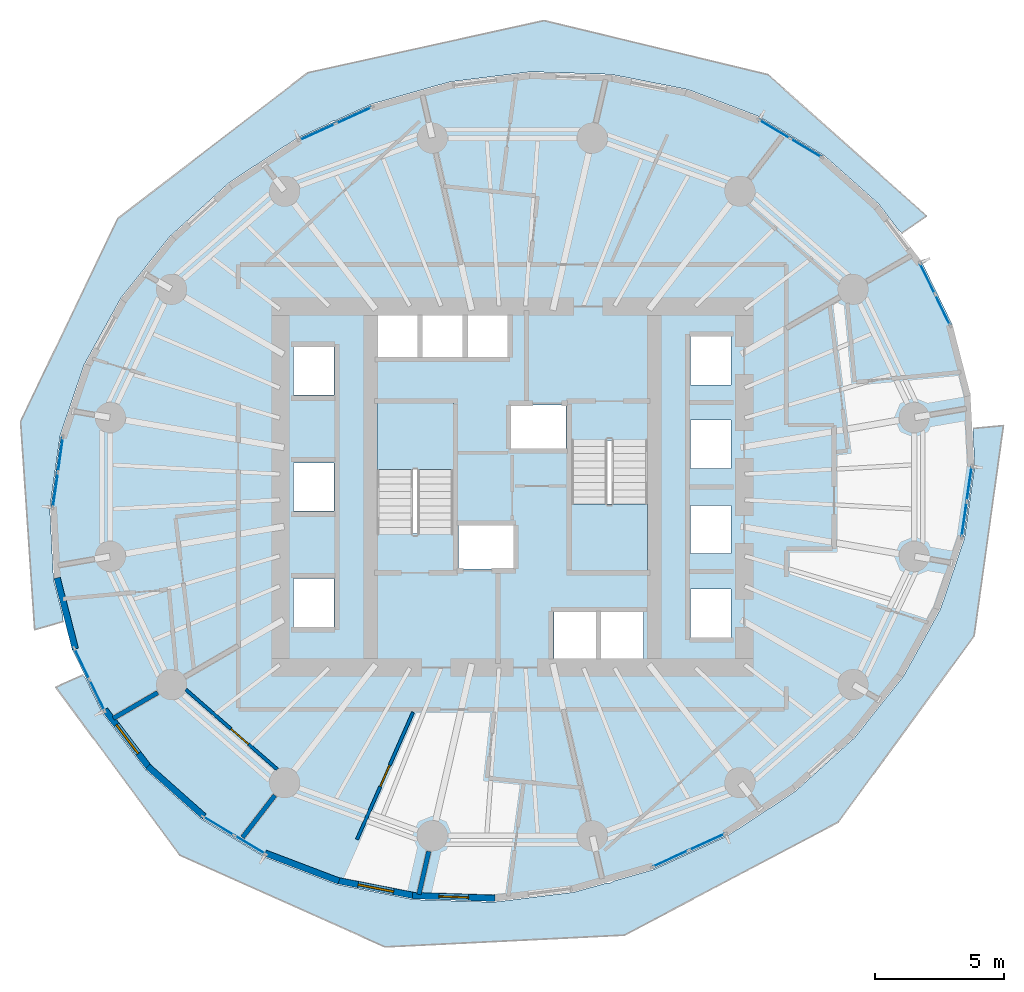
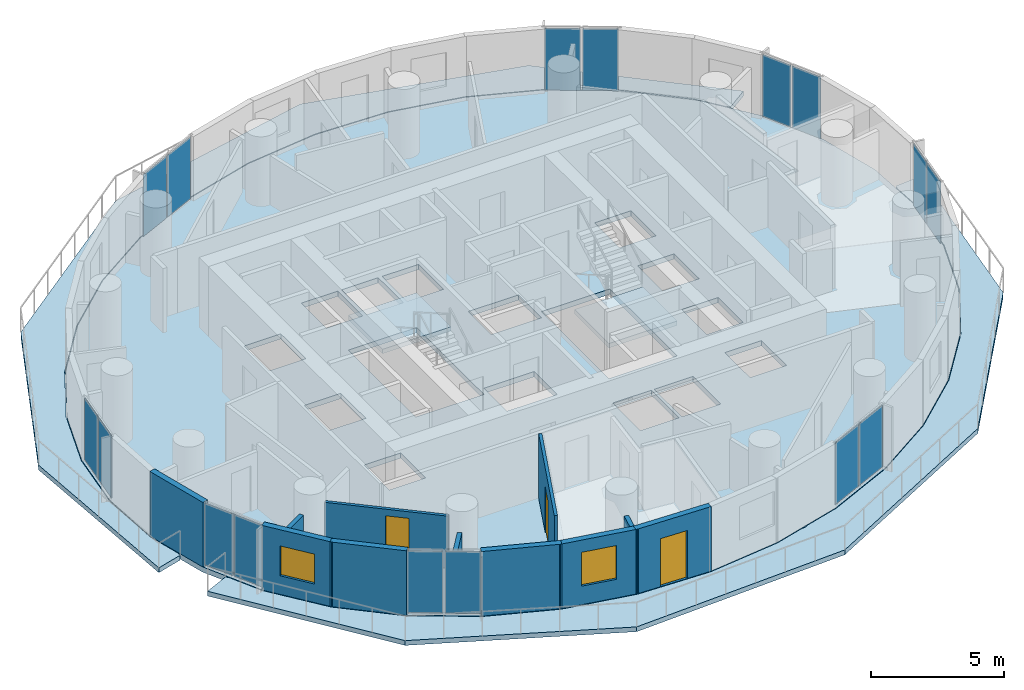
# One storey, part 6 of 14: 16 plates, 11 walls, 5 slabs, 3 doors, 2 windows, 5 openings, 10 elements without a shape of their own.
"""IFC4 building model written with IfcOpenShell, lengths in metres."""

from ifc_helpers import new_model, si_unit, direction, frame, frame_2d, origin, origin_2d, place, context, subcontext, project, spatial, polyline, rectangle, outline, extrude, material, layer, layer_set, type_object, element, fill, aggregate, save


model = new_model("IFC4")

# Units and contexts
model_context = context("Model", 3, precision=1e-05, world=origin(), true_north=direction((0.0, 1.0)))
body_context = subcontext(model_context, "Body", "Model", "MODEL_VIEW")
ifc_project = project(units=[si_unit("LENGTHUNIT", "METRE"), si_unit("AREAUNIT", "SQUARE_METRE"), si_unit("VOLUMEUNIT", "CUBIC_METRE"), si_unit("PLANEANGLEUNIT", "RADIAN"), si_unit("MASSUNIT", "GRAM", prefix="KILO")], contexts=[model_context])

# Site, building, storey
site_placement = place(None, origin())
site = spatial("IfcSite", under=ifc_project, at=site_placement, CompositionType="ELEMENT")
building_placement = place(site_placement, origin())
building = spatial("IfcBuilding", under=site, at=building_placement, Name="Veldorim Arch Residences", CompositionType="ELEMENT")
storey_placement = place(building_placement, frame((0.0, 0.0, 90.080078125)))
storey = spatial("IfcBuildingStorey", under=building, at=storey_placement, Name="L26", CompositionType="ELEMENT", Elevation=90.080078125)

# Slabs
ifc_material_1 = material(Name="Concrete C40/50", Category="concrete")
ifc_layer_1 = layer(ifc_material_1, 0.219970703125, Name="Planted Crescent Cantilever Balcony Slab 220")
ifc_layer_set_1 = layer_set([ifc_layer_1], Name="Concrete C40/50")
slab_type_1 = type_object("IfcSlabType", Name="Planted Crescent Cantilever Balcony Slab 220", PredefinedType="FLOOR", material=ifc_layer_set_1)
slab_1_placement = place(storey_placement, frame((0.0, 0.0, -0.219970703125)))
element("IfcSlab", 1, at=slab_1_placement, inside=storey, type_object=slab_type_1, Name="L26 planted crescent balcony slab A", PredefinedType="FLOOR", context=body_context, shape_type="SweptSolid", body=[
    extrude(outline(polyline([(46.990478515625, 33.961181640625), (46.210693359375, 34.984130859375), (44.088134765625, 36.868408203125), (41.5986328125, 38.361328125), (38.8173828125, 39.41796875), (35.82958984375, 40.006103515625), (32.725341796875, 40.10791015625), (29.59912109375, 39.720458984375), (26.5458984375, 38.85546875), (25.1455078125, 38.21728515625), (24.97314453125, 38.177001953125), (24.84033203125, 38.078125), (23.658447265625, 37.53955078125), (21.0244140625, 35.81201171875), (18.723388671875, 33.725830078125), (16.82568359375, 31.343994140625), (15.388916015625, 28.739013671875), (14.456787109375, 25.98974609375), (14.057861328125, 23.1796875), (14.2041015625, 20.39453125), (14.574462890625, 18.952880859375), (14.5751953125, 18.783203125), (13.470458984375, 18.463623046875), (12.923583984375, 26.53662109375), (16.694580078125, 34.413818359375), (24.0673828125, 40.071533203125), (33.231201171875, 42.094970703125), (41.920166015625, 39.998779296875), (48.068359375, 34.513916015625), (47.1259765625, 33.854736328125), (46.990478515625, 33.961181640625)])), origin(), (0.0, 0.0, 1.0), 0.219970703125),
])
slab_2_placement = place(storey_placement, frame((0.0, 0.0, -0.219970703125)))
element("IfcSlab", 2, at=slab_2_placement, inside=storey, type_object=slab_type_1, Name="L26 planted crescent balcony slab B", PredefinedType="FLOOR", context=body_context, shape_type="SweptSolid", body=[
    extrude(outline(polyline([(15.4482421875, 16.57275390625), (16.098876953125, 15.23388671875), (17.789306640625, 13.015869140625), (19.911865234375, 11.131591796875), (22.4013671875, 9.638671875), (25.1826171875, 8.58203125), (28.17041015625, 7.993896484375), (31.274658203125, 7.89208984375), (34.40087890625, 8.279541015625), (35.65087890625, 8.633544921875), (35.815673828125, 8.644287109375), (35.972900390625, 8.724853515625), (37.4541015625, 9.14453125), (40.341552734375, 10.46044921875), (42.9755859375, 12.18798828125), (45.276611328125, 14.274169921875), (47.17431640625, 16.656005859375), (48.611083984375, 19.260986328125), (49.543212890625, 22.01025390625), (49.942138671875, 24.8203125), (49.87451171875, 26.10498046875), (49.9091796875, 26.273681640625), (51.05419921875, 26.380859375), (49.91552734375, 18.220703125), (44.647216796875, 11.000244140625), (36.350830078125, 6.613525390625), (27.06884765625, 6.15673828125), (19.0966796875, 9.722412109375), (14.2900390625, 16.2314453125), (15.339111328125, 16.70263671875), (15.4482421875, 16.57275390625)])), origin(), (0.0, 0.0, 1.0), 0.219970703125),
])

# Stair, slab
ifc_material_2 = material(Name="Concrete C40/50", Category="concrete")
stair_type = type_object("IfcStairType", Name="Reinforced Concrete Dogleg Exit Staircase", PredefinedType="HALF_TURN_STAIR", material=ifc_material_2)
stair_1_placement = place(storey_placement, origin())
stair_1 = element("IfcStair", 3, at=stair_1_placement, inside=storey, type_object=stair_type, Name="L26 Exit Staircase ST-1", PredefinedType="HALF_TURN_STAIR")
ifc_material_3 = material(Name="Concrete C40/50", Category="concrete")
ifc_layer_2 = layer(ifc_material_3, 0.199951171875, Name="Reinforced Concrete Stair Landing 200")
ifc_layer_set_2 = layer_set([ifc_layer_2], Name="Concrete C40/50")
slab_type_2 = type_object("IfcSlabType", Name="Reinforced Concrete Stair Landing 200", PredefinedType="LANDING", material=ifc_layer_set_2)
slab_3_placement = place(storey_placement, frame((0.0, 0.0, 1.39990234375)))
slab_3 = element("IfcSlab", 4, at=slab_3_placement, type_object=slab_type_2, Name="ST-1 landing 1", PredefinedType="LANDING", context=body_context, shape_type="SweptSolid", body=[
    extrude(outline(polyline([(29.7099609375, 24.669921875), (29.7099609375, 27.25), (26.75, 27.25), (26.75, 24.669921875), (29.7099609375, 24.669921875)])), origin(), (0.0, 0.0, 1.0), 0.199951171875),
])
aggregate(stair_1, [slab_3])

stair_2_placement = place(storey_placement, origin())
stair_2 = element("IfcStair", 5, at=stair_2_placement, inside=storey, type_object=stair_type, Name="L26 Exit Staircase ST-2", PredefinedType="HALF_TURN_STAIR")
slab_4_placement = place(storey_placement, frame((0.0, 0.0, 1.39990234375)))
slab_4 = element("IfcSlab", 6, at=slab_4_placement, type_object=slab_type_2, Name="ST-2 landing 1", PredefinedType="LANDING", context=body_context, shape_type="SweptSolid", body=[
    extrude(outline(polyline([(34.2900390625, 23.330078125), (34.2900390625, 20.75), (37.25, 20.75), (37.25, 23.330078125), (34.2900390625, 23.330078125)])), origin(), (0.0, 0.0, 1.0), 0.199951171875),
])
aggregate(stair_2, [slab_4])

# Slab
ifc_material_4 = material(Name="Concrete C40/50", Category="concrete")
ifc_layer_3 = layer(ifc_material_4, 0.239990234375, Name="Typical Residential Floor Slab 240")
ifc_layer_set_3 = layer_set([ifc_layer_3], Name="Concrete C40/50")
slab_type_3 = type_object("IfcSlabType", Name="Typical Residential Floor Slab 240", PredefinedType="FLOOR", material=ifc_layer_set_3)
slab_5_placement = place(storey_placement, frame((0.0, 0.0, -0.239990234375)))
element("IfcSlab", 7, at=slab_5_placement, inside=storey, type_object=slab_type_3, Name="L26 tower structural floor slab", PredefinedType="FLOOR", context=body_context, shape_type="SweptSolid", body=[
    extrude(outline(polyline([(49.0849609375, 30.2724609375), (47.8798828125, 32.752685546875), (46.192138671875, 34.967041015625), (44.0732421875, 36.84814453125), (41.587646484375, 38.3388671875), (38.810546875, 39.393798828125), (35.82666015625, 39.981201171875), (32.726318359375, 40.082763671875), (29.60400390625, 39.69580078125), (26.5546875, 38.83203125), (23.670654296875, 37.517578125), (21.03955078125, 35.792236328125), (18.74169921875, 33.70849609375), (16.8466796875, 31.330078125), (15.412109375, 28.728759765625), (14.481201171875, 25.98388671875), (14.0830078125, 23.1787109375), (14.22900390625, 20.398193359375), (14.9150390625, 17.7275390625), (16.1201171875, 15.247314453125), (17.807861328125, 13.032958984375), (19.9267578125, 11.15185546875), (22.412353515625, 9.6611328125), (25.189453125, 8.606201171875), (28.17333984375, 8.018798828125), (31.273681640625, 7.917236328125), (34.39599609375, 8.30419921875), (37.4453125, 9.16796875), (40.329345703125, 10.482421875), (42.96044921875, 12.207763671875), (45.25830078125, 14.29150390625), (47.1533203125, 16.669921875), (48.587890625, 19.271240234375), (49.518798828125, 22.01611328125), (49.9169921875, 24.8212890625), (49.77099609375, 27.601806640625), (49.0849609375, 30.2724609375)]), holes=[polyline([(23.510009765625, 20.43994140625), (25.090087890625, 20.43994140625), (25.090087890625, 18.56005859375), (23.510009765625, 18.56005859375), (23.510009765625, 20.43994140625)]), polyline([(29.909912109375, 22.544921875), (32.090087890625, 22.544921875), (32.090087890625, 20.81494140625), (29.909912109375, 20.81494140625), (29.909912109375, 22.544921875)]), polyline([(23.510009765625, 24.93994140625), (25.090087890625, 24.93994140625), (25.090087890625, 23.06005859375), (23.510009765625, 23.06005859375), (23.510009765625, 24.93994140625)]), polyline([(26.75, 27.25), (29.7099609375, 27.25), (29.7099609375, 22.195068359375), (26.75, 22.195068359375), (26.75, 27.25)]), polyline([(23.510009765625, 29.43994140625), (25.090087890625, 29.43994140625), (25.090087890625, 27.56005859375), (23.510009765625, 27.56005859375), (23.510009765625, 29.43994140625)]), polyline([(26.760009765625, 30.7900390625), (28.340087890625, 30.7900390625), (28.340087890625, 28.909912109375), (26.760009765625, 28.909912109375), (26.760009765625, 30.7900390625)]), polyline([(28.510009765625, 30.7900390625), (30.090087890625, 30.7900390625), (30.090087890625, 28.909912109375), (28.510009765625, 28.909912109375), (28.510009765625, 30.7900390625)]), polyline([(30.260009765625, 30.7900390625), (31.840087890625, 30.7900390625), (31.840087890625, 28.909912109375), (30.260009765625, 28.909912109375), (30.260009765625, 30.7900390625)]), polyline([(33.610107421875, 19.2900390625), (35.2900390625, 19.2900390625), (35.2900390625, 17.2099609375), (33.610107421875, 17.2099609375), (33.610107421875, 19.2900390625)]), polyline([(35.409912109375, 19.2900390625), (37.090087890625, 19.2900390625), (37.090087890625, 17.2099609375), (35.409912109375, 17.2099609375), (35.409912109375, 19.2900390625)]), polyline([(38.909912109375, 20.0400390625), (40.489990234375, 20.0400390625), (40.489990234375, 18.159912109375), (38.909912109375, 18.159912109375), (38.909912109375, 20.0400390625)]), polyline([(38.909912109375, 23.2900390625), (40.489990234375, 23.2900390625), (40.489990234375, 21.409912109375), (38.909912109375, 21.409912109375), (38.909912109375, 23.2900390625)]), polyline([(34.2900390625, 25.804931640625), (37.25, 25.804931640625), (37.25, 20.75), (34.2900390625, 20.75), (34.2900390625, 25.804931640625)]), polyline([(38.909912109375, 26.590087890625), (40.489990234375, 26.590087890625), (40.489990234375, 24.7099609375), (38.909912109375, 24.7099609375), (38.909912109375, 26.590087890625)]), polyline([(31.909912109375, 27.18505859375), (34.090087890625, 27.18505859375), (34.090087890625, 25.455078125), (31.909912109375, 25.455078125), (31.909912109375, 27.18505859375)]), polyline([(38.909912109375, 29.840087890625), (40.489990234375, 29.840087890625), (40.489990234375, 27.9599609375), (38.909912109375, 27.9599609375), (38.909912109375, 29.840087890625)])]), origin(), (0.0, 0.0, 1.0), 0.239990234375),
])

# Curtain wall, plates
ifc_material_5 = material(Name="Aluminium", Category="aluminium")
curtain_wall_type = type_object("IfcCurtainWallType", Name="Zone 2 Solar-Control Unitised Curtain Wall", PredefinedType="NOTDEFINED", material=ifc_material_5)
curtain_wall_1_placement = place(storey_placement, origin())
curtain_wall_1 = element("IfcCurtainWall", 8, at=curtain_wall_1_placement, inside=storey, type_object=curtain_wall_type, Name="L26 unitised curtain wall bay 01", PredefinedType="NOTDEFINED")
ifc_material_6 = material(Name="Laminated Low-E Glass", Category="glass")
ifc_layer_4 = layer(ifc_material_6, 0.02587890625, Name="Zone 2 Solar-Control Unitised Curtain Wall Glazing Panel 26")
ifc_layer_set_4 = layer_set([ifc_layer_4], Name="Laminated Low-E Glass")
plate_type = type_object("IfcPlateType", Name="Zone 2 Solar-Control Unitised Curtain Wall Glazing Panel 26", PredefinedType="CURTAIN_PANEL", material=ifc_layer_set_4)
plate_1_placement = place(storey_placement, frame((48.107421875, 32.078857421875, 0.06494140625), z_axis=(0.0, 0.0, 1.0), x_axis=(0.437045633403, -0.89943933332, 0.0)))
plate_1 = element("IfcPlate", 9, at=plate_1_placement, type_object=plate_type, Name="CW-Z2 panel 1.1", PredefinedType="CURTAIN_PANEL", context=body_context, shape_type="SweptSolid", body=[
    extrude(rectangle(XDim=1.28125, YDim=0.02587890625, at=origin_2d()), origin(), (0.0, 0.0, 1.0), 2.830078125),
])
plate_2_placement = place(storey_placement, frame((48.69580078125, 30.867919921875, 0.06494140625), z_axis=(0.0, 0.0, 1.0), x_axis=(0.437045633403, -0.89943933332, 0.0)))
plate_2 = element("IfcPlate", 10, at=plate_2_placement, type_object=plate_type, Name="CW-Z2 panel 2.1", PredefinedType="CURTAIN_PANEL", context=body_context, shape_type="SweptSolid", body=[
    extrude(rectangle(XDim=1.28125, YDim=0.02587890625, at=origin_2d()), origin(), (0.0, 0.0, 1.0), 2.830078125),
])
aggregate(curtain_wall_1, [plate_1, plate_2])

curtain_wall_2_placement = place(storey_placement, origin())
curtain_wall_2 = element("IfcCurtainWall", 11, at=curtain_wall_2_placement, inside=storey, type_object=curtain_wall_type, Name="L26 unitised curtain wall bay 04", PredefinedType="NOTDEFINED")
plate_3_placement = place(storey_placement, frame((42.1767578125, 37.880615234375, 0.06494140625), z_axis=(0.0, 0.0, 1.0), x_axis=(0.857602499098, -0.514313089023, 0.0)))
plate_3 = element("IfcPlate", 12, at=plate_3_placement, type_object=plate_type, Name="CW-Z2 panel 1.1", PredefinedType="CURTAIN_PANEL", context=body_context, shape_type="SweptSolid", body=[
    extrude(rectangle(XDim=1.351806640625, YDim=0.02587890625, at=origin_2d()), origin(), (0.0, 0.0, 1.0), 2.830078125),
])
plate_4_placement = place(storey_placement, frame((43.3916015625, 37.15185546875, 0.06494140625), z_axis=(0.0, 0.0, 1.0), x_axis=(0.857602499098, -0.514313089023, 0.0)))
plate_4 = element("IfcPlate", 13, at=plate_4_placement, type_object=plate_type, Name="CW-Z2 panel 2.1", PredefinedType="CURTAIN_PANEL", context=body_context, shape_type="SweptSolid", body=[
    extrude(rectangle(XDim=1.351806640625, YDim=0.02587890625, at=origin_2d()), origin(), (0.0, 0.0, 1.0), 2.830078125),
])
aggregate(curtain_wall_2, [plate_3, plate_4])

curtain_wall_3_placement = place(storey_placement, origin())
curtain_wall_3 = element("IfcCurtainWall", 14, at=curtain_wall_3_placement, inside=storey, type_object=curtain_wall_type, Name="L26 unitised curtain wall bay 10", PredefinedType="NOTDEFINED")
plate_5_placement = place(storey_placement, frame((24.443603515625, 37.77099609375, 0.06494140625), z_axis=(0.0, 0.0, 1.0), x_axis=(0.909939186399, 0.414741699201, 0.0)))
plate_5 = element("IfcPlate", 15, at=plate_5_placement, type_object=plate_type, Name="CW-Z2 panel 1.1", PredefinedType="CURTAIN_PANEL", context=body_context, shape_type="SweptSolid", body=[
    extrude(rectangle(XDim=1.4873046875, YDim=0.02587890625, at=origin_2d()), origin(), (0.0, 0.0, 1.0), 2.830078125),
])
plate_6_placement = place(storey_placement, frame((25.856201171875, 38.414794921875, 0.06494140625), z_axis=(0.0, 0.0, 1.0), x_axis=(0.909939186399, 0.414741699201, 0.0)))
plate_6 = element("IfcPlate", 16, at=plate_6_placement, type_object=plate_type, Name="CW-Z2 panel 2.1", PredefinedType="CURTAIN_PANEL", context=body_context, shape_type="SweptSolid", body=[
    extrude(rectangle(XDim=1.4873046875, YDim=0.02587890625, at=origin_2d()), origin(), (0.0, 0.0, 1.0), 2.830078125),
])
aggregate(curtain_wall_3, [plate_5, plate_6])

curtain_wall_4_placement = place(storey_placement, origin())
curtain_wall_4 = element("IfcCurtainWall", 17, at=curtain_wall_4_placement, inside=storey, type_object=curtain_wall_type, Name="L26 unitised curtain wall bay 16", PredefinedType="NOTDEFINED")
plate_7_placement = place(storey_placement, frame((14.27392578125, 23.88330078125, 0.06494140625), z_axis=(0.0, 0.0, 1.0), x_axis=(0.140571452105, 0.990070536302, 0.0)))
plate_7 = element("IfcPlate", 18, at=plate_7_placement, type_object=plate_type, Name="CW-Z2 panel 1.1", PredefinedType="CURTAIN_PANEL", context=body_context, shape_type="SweptSolid", body=[
    extrude(rectangle(XDim=1.3193359375, YDim=0.02587890625, at=origin_2d()), origin(), (0.0, 0.0, 1.0), 2.830078125),
])
plate_8_placement = place(storey_placement, frame((14.468505859375, 25.25390625, 0.06494140625), z_axis=(0.0, 0.0, 1.0), x_axis=(0.140571452105, 0.990070536302, 0.0)))
plate_8 = element("IfcPlate", 19, at=plate_8_placement, type_object=plate_type, Name="CW-Z2 panel 2.1", PredefinedType="CURTAIN_PANEL", context=body_context, shape_type="SweptSolid", body=[
    extrude(rectangle(XDim=1.3193359375, YDim=0.02587890625, at=origin_2d()), origin(), (0.0, 0.0, 1.0), 2.830078125),
])
aggregate(curtain_wall_4, [plate_7, plate_8])

curtain_wall_5_placement = place(storey_placement, origin())
curtain_wall_5 = element("IfcCurtainWall", 20, at=curtain_wall_5_placement, inside=storey, type_object=curtain_wall_type, Name="L26 unitised curtain wall bay 19", PredefinedType="NOTDEFINED")
plate_9_placement = place(storey_placement, frame((15.892578125, 15.921142578125, 0.06494140625), z_axis=(0.0, 0.0, 1.0), x_axis=(-0.437045633403, 0.89943933332, 0.0)))
plate_9 = element("IfcPlate", 21, at=plate_9_placement, type_object=plate_type, Name="CW-Z2 panel 1.1", PredefinedType="CURTAIN_PANEL", context=body_context, shape_type="SweptSolid", body=[
    extrude(rectangle(XDim=1.28125, YDim=0.02587890625, at=origin_2d()), origin(), (0.0, 0.0, 1.0), 2.830078125),
])
plate_10_placement = place(storey_placement, frame((15.30419921875, 17.132080078125, 0.06494140625), z_axis=(0.0, 0.0, 1.0), x_axis=(-0.437045633403, 0.89943933332, 0.0)))
plate_10 = element("IfcPlate", 22, at=plate_10_placement, type_object=plate_type, Name="CW-Z2 panel 2.1", PredefinedType="CURTAIN_PANEL", context=body_context, shape_type="SweptSolid", body=[
    extrude(rectangle(XDim=1.28125, YDim=0.02587890625, at=origin_2d()), origin(), (0.0, 0.0, 1.0), 2.830078125),
])
aggregate(curtain_wall_5, [plate_9, plate_10])

curtain_wall_6_placement = place(storey_placement, origin())
curtain_wall_6 = element("IfcCurtainWall", 23, at=curtain_wall_6_placement, inside=storey, type_object=curtain_wall_type, Name="L26 unitised curtain wall bay 22", PredefinedType="NOTDEFINED")
plate_11_placement = place(storey_placement, frame((21.8232421875, 10.119384765625, 0.06494140625), z_axis=(0.0, 0.0, 1.0), x_axis=(-0.857602499098, 0.514313089023, 0.0)))
plate_11 = element("IfcPlate", 24, at=plate_11_placement, type_object=plate_type, Name="CW-Z2 panel 1.1", PredefinedType="CURTAIN_PANEL", context=body_context, shape_type="SweptSolid", body=[
    extrude(rectangle(XDim=1.351806640625, YDim=0.02587890625, at=origin_2d()), origin(), (0.0, 0.0, 1.0), 2.830078125),
])
plate_12_placement = place(storey_placement, frame((20.6083984375, 10.84814453125, 0.06494140625), z_axis=(0.0, 0.0, 1.0), x_axis=(-0.857602499098, 0.514313089023, 0.0)))
plate_12 = element("IfcPlate", 25, at=plate_12_placement, type_object=plate_type, Name="CW-Z2 panel 2.1", PredefinedType="CURTAIN_PANEL", context=body_context, shape_type="SweptSolid", body=[
    extrude(rectangle(XDim=1.351806640625, YDim=0.02587890625, at=origin_2d()), origin(), (0.0, 0.0, 1.0), 2.830078125),
])
aggregate(curtain_wall_6, [plate_11, plate_12])

curtain_wall_7_placement = place(storey_placement, origin())
curtain_wall_7 = element("IfcCurtainWall", 26, at=curtain_wall_7_placement, inside=storey, type_object=curtain_wall_type, Name="L26 unitised curtain wall bay 28", PredefinedType="NOTDEFINED")
plate_13_placement = place(storey_placement, frame((39.556396484375, 10.22900390625, 0.06494140625), z_axis=(0.0, 0.0, 1.0), x_axis=(-0.909939186399, -0.414741699201, 0.0)))
plate_13 = element("IfcPlate", 27, at=plate_13_placement, type_object=plate_type, Name="CW-Z2 panel 1.1", PredefinedType="CURTAIN_PANEL", context=body_context, shape_type="SweptSolid", body=[
    extrude(rectangle(XDim=1.4873046875, YDim=0.02587890625, at=origin_2d()), origin(), (0.0, 0.0, 1.0), 2.830078125),
])
plate_14_placement = place(storey_placement, frame((38.143798828125, 9.585205078125, 0.06494140625), z_axis=(0.0, 0.0, 1.0), x_axis=(-0.909939186399, -0.414741699201, 0.0)))
plate_14 = element("IfcPlate", 28, at=plate_14_placement, type_object=plate_type, Name="CW-Z2 panel 2.1", PredefinedType="CURTAIN_PANEL", context=body_context, shape_type="SweptSolid", body=[
    extrude(rectangle(XDim=1.4873046875, YDim=0.02587890625, at=origin_2d()), origin(), (0.0, 0.0, 1.0), 2.830078125),
])
aggregate(curtain_wall_7, [plate_13, plate_14])

curtain_wall_8_placement = place(storey_placement, origin())
curtain_wall_8 = element("IfcCurtainWall", 29, at=curtain_wall_8_placement, inside=storey, type_object=curtain_wall_type, Name="L26 unitised curtain wall bay 34", PredefinedType="NOTDEFINED")
plate_15_placement = place(storey_placement, frame((49.72607421875, 24.11669921875, 0.06494140625), z_axis=(0.0, 0.0, 1.0), x_axis=(-0.140571452105, -0.990070536302, 0.0)))
plate_15 = element("IfcPlate", 30, at=plate_15_placement, type_object=plate_type, Name="CW-Z2 panel 1.1", PredefinedType="CURTAIN_PANEL", context=body_context, shape_type="SweptSolid", body=[
    extrude(rectangle(XDim=1.3193359375, YDim=0.02587890625, at=origin_2d()), origin(), (0.0, 0.0, 1.0), 2.830078125),
])
plate_16_placement = place(storey_placement, frame((49.531494140625, 22.74609375, 0.06494140625), z_axis=(0.0, 0.0, 1.0), x_axis=(-0.140571452105, -0.990070536302, 0.0)))
plate_16 = element("IfcPlate", 31, at=plate_16_placement, type_object=plate_type, Name="CW-Z2 panel 2.1", PredefinedType="CURTAIN_PANEL", context=body_context, shape_type="SweptSolid", body=[
    extrude(rectangle(XDim=1.3193359375, YDim=0.02587890625, at=origin_2d()), origin(), (0.0, 0.0, 1.0), 2.830078125),
])
aggregate(curtain_wall_8, [plate_15, plate_16])

# Wall, opening, door
ifc_material_7 = material(Name="Acoustic Gypsum Board", Category="gypsum")
ifc_layer_5 = layer(ifc_material_7, 0.125, Name="Acoustic Stud Room Partition Wall 125")
ifc_layer_set_5 = layer_set([ifc_layer_5], Name="Acoustic Gypsum Board")
wall_type_1 = type_object("IfcWallType", Name="Acoustic Stud Room Partition Wall 125", PredefinedType="PARTITIONING", material=ifc_layer_set_5)
wall_1_placement = place(storey_placement, frame((25.972900390625, 10.322021484375, 0.0), z_axis=(0.0, 0.0, 1.0), x_axis=(0.403235845427, 0.91509608947, 0.0)))
wall_1 = element("IfcWall", 32, at=wall_1_placement, inside=storey, type_object=wall_type_1, Name="L26 interior wall WL-RES-L26-015", PredefinedType="PARTITIONING", context=body_context, shape_type="SweptSolid", body=[
    extrude(rectangle(XDim=5.396484375, YDim=0.125, at=frame_2d((2.6982421875, 0.0))), origin(), (0.0, 0.0, 1.0), 2.954833984375),
])
opening_1_placement = place(wall_1_placement, frame((2.248046875, 0.0, 0.0)))
opening_1 = element("IfcOpeningElement", 33, at=opening_1_placement, cuts=wall_1, Name="Opening DR-INT", PredefinedType="OPENING", context=body_context, shape_type="SweptSolid", body=[
    extrude(rectangle(XDim=0.89990234375, YDim=2.10009765625, at=frame_2d((0.449951171875, 1.050048828125))), frame((0.0, 0.072509765625, 0.0), z_axis=(0.0, -1.0, 0.0), x_axis=(1.0, 0.0, 0.0)), (0.0, 0.0, 1.0), 0.14501953125),
])
ifc_material_8 = material(Name="Engineered Timber", Category="wood")
door_type_1 = type_object("IfcDoorType", Name="Apartment Internal Room Timber Door 900x2100", OperationType="SINGLE_SWING_LEFT", PredefinedType="DOOR", material=ifc_material_8)
door_1_placement = place(opening_1_placement, origin())
door_1 = element("IfcDoor", 34, at=door_1_placement, inside=storey, type_object=door_type_1, Name="L26 interior door DR-RES-L26-003", OperationType="SINGLE_SWING_LEFT", OverallHeight=2.10009765625, OverallWidth=0.89990234375, PredefinedType="DOOR", context=body_context, shape_type="SweptSolid", body=[
    extrude(rectangle(XDim=0.89990234375, YDim=2.10009765625, at=frame_2d((0.449951171875, 1.050048828125))), frame((0.0, 0.02490234375, 0.0), z_axis=(0.0, -1.0, 0.0), x_axis=(1.0, 0.0, 0.0)), (0.0, 0.0, 1.0), 0.050048828125),
])
fill(opening_1, door_1)

wall_2_placement = place(storey_placement, frame((22.8876953125, 13.040283203125, 0.0), z_axis=(0.0, 0.0, 1.0), x_axis=(-0.753425123405, 0.657533712765, 0.0)))
wall_2 = element("IfcWall", 35, at=wall_2_placement, inside=storey, type_object=wall_type_1, Name="L26 interior wall WL-RES-L26-019", PredefinedType="PARTITIONING", context=body_context, shape_type="SweptSolid", body=[
    extrude(rectangle(XDim=4.72021484375, YDim=0.125, at=frame_2d((2.360107421875, 0.0))), origin(), (0.0, 0.0, 1.0), 2.4033203125),
])
opening_2_placement = place(wall_2_placement, frame((1.489990234375, 0.0, 0.0)))
opening_2 = element("IfcOpeningElement", 36, at=opening_2_placement, cuts=wall_2, Name="Opening DR-INT", PredefinedType="OPENING", context=body_context, shape_type="SweptSolid", body=[
    extrude(rectangle(XDim=0.89990234375, YDim=2.10009765625, at=frame_2d((0.449951171875, 1.050048828125))), frame((0.0, 0.072509765625, 0.0), z_axis=(0.0, -1.0, 0.0), x_axis=(1.0, 0.0, 0.0)), (0.0, 0.0, 1.0), 0.14501953125),
])
door_2_placement = place(opening_2_placement, origin())
door_2 = element("IfcDoor", 37, at=door_2_placement, inside=storey, type_object=door_type_1, Name="L26 interior door DR-RES-L26-004", OperationType="SINGLE_SWING_RIGHT", OverallHeight=2.10009765625, OverallWidth=0.89990234375, PredefinedType="DOOR", context=body_context, shape_type="SweptSolid", body=[
    extrude(rectangle(XDim=0.89990234375, YDim=2.10009765625, at=frame_2d((0.449951171875, 1.050048828125))), frame((0.0, 0.02490234375, 0.0), z_axis=(0.0, -1.0, 0.0), x_axis=(1.0, 0.0, 0.0)), (0.0, 0.0, 1.0), 0.050048828125),
])
fill(opening_2, door_2)

# Walls
ifc_material_9 = material(Name="Lightweight Masonry Block & Gypsum", Category="masonry")
ifc_layer_6 = layer(ifc_material_9, 0.179931640625, Name="Compartment & Corridor Fire-Rated Party Wall 180")
ifc_layer_set_6 = layer_set([ifc_layer_6], Name="Lightweight Masonry Block & Gypsum")
wall_type_2 = type_object("IfcWallType", Name="Compartment & Corridor Fire-Rated Party Wall 180", PredefinedType="PARTITIONING", material=ifc_layer_set_6)
wall_3_placement = place(storey_placement, frame((18.243408203125, 16.022216796875, 0.0), z_axis=(0.0, 0.0, 1.0), x_axis=(-0.865046065875, -0.501692439563, 0.0)))
element("IfcWall", 38, at=wall_3_placement, inside=storey, type_object=wall_type_2, Name="L26 interior wall WL-PIER-L26-10", PredefinedType="PARTITIONING", context=body_context, shape_type="SweptSolid", body=[
    extrude(rectangle(XDim=1.994140625, YDim=0.179931640625, at=frame_2d((0.9970703125, 0.0))), origin(), (0.0, 0.0, 1.0), 2.260498046875),
])
wall_4_placement = place(storey_placement, frame((22.7880859375, 12.034423828125, 0.0), z_axis=(0.0, 0.0, 1.0), x_axis=(-0.609991040385, -0.792408310564, 0.0)))
element("IfcWall", 39, at=wall_4_placement, inside=storey, type_object=wall_type_2, Name="L26 interior wall WL-PIER-L26-11", PredefinedType="PARTITIONING", context=body_context, shape_type="SweptSolid", body=[
    extrude(rectangle(XDim=2.0625, YDim=0.179931640625, at=frame_2d((1.03125, 0.0))), origin(), (0.0, 0.0, 1.0), 2.260498046875),
])
wall_5_placement = place(storey_placement, frame((28.759521484375, 9.86083984375, 0.0), z_axis=(0.0, 0.0, 1.0), x_axis=(-0.223359217097, -0.974736200281, 0.0)))
element("IfcWall", 40, at=wall_5_placement, inside=storey, type_object=wall_type_2, Name="L26 interior wall WL-PIER-L26-12", PredefinedType="PARTITIONING", context=body_context, shape_type="SweptSolid", body=[
    extrude(rectangle(XDim=1.711669921875, YDim=0.179931640625, at=frame_2d((0.85595703125, 0.0))), origin(), (0.0, 0.0, 1.0), 2.260498046875),
])
ifc_material_10 = material(Name="Precast concrete C40/50", Category="concrete")
ifc_layer_7 = layer(ifc_material_10, 0.25, Name="Tower Terracotta Spandrel & Pier Wall 250")
ifc_layer_set_7 = layer_set([ifc_layer_7], Name="Precast concrete C40/50")
wall_type_3 = type_object("IfcWallType", Name="Tower Terracotta Spandrel & Pier Wall 250", PredefinedType="SOLIDWALL", material=ifc_layer_set_7)
wall_6_placement = place(storey_placement, frame((15.04736328125, 17.715087890625, 0.0), z_axis=(0.0, 0.0, 1.0), x_axis=(-0.248825035787, 0.96854845081, 0.0)))
element("IfcWall", 41, at=wall_6_placement, inside=storey, type_object=wall_type_3, Name="L26 terracotta facade wall 18", PredefinedType="SOLIDWALL", context=body_context, shape_type="SweptSolid", body=[
    extrude(rectangle(XDim=2.847412109375, YDim=0.25, at=frame_2d((1.423828125, 0.0))), origin(), (0.0, 0.0, 1.0), 2.9599609375),
])

# Wall, opening, window
wall_7_placement = place(storey_placement, frame((17.9345703125, 13.072998046875, 0.0), z_axis=(0.0, 0.0, 1.0), x_axis=(-0.606166055027, 0.795338112838, 0.0)))
wall_7 = element("IfcWall", 42, at=wall_7_placement, inside=storey, type_object=wall_type_3, Name="L26 terracotta facade wall 20", PredefinedType="SOLIDWALL", context=body_context, shape_type="SweptSolid", body=[
    extrude(rectangle(XDim=2.8740234375, YDim=0.25, at=frame_2d((1.43701171875, 0.0))), origin(), (0.0, 0.0, 1.0), 2.9599609375),
])
opening_3_placement = place(wall_7_placement, frame((0.737060546875, 0.0, 0.85009765625)))
opening_3 = element("IfcOpeningElement", 43, at=opening_3_placement, cuts=wall_7, Name="Opening WN-02", PredefinedType="OPENING", context=body_context, shape_type="SweptSolid", body=[
    extrude(rectangle(XDim=1.39990234375, YDim=1.3701171875, at=frame_2d((0.699951171875, 0.68505859375))), frame((0.0, 0.135009765625, 0.0), z_axis=(0.0, -1.0, 0.0), x_axis=(1.0, 0.0, 0.0)), (0.0, 0.0, 1.0), 0.27001953125),
])
ifc_material_11 = material(Name="Laminated Low-E Glass", Category="glass")
window_type = type_object("IfcWindowType", Name="Residential Casement Window 1400x1550", PartitioningType="SINGLE_PANEL", PredefinedType="WINDOW", material=ifc_material_11)
window_1_placement = place(opening_3_placement, origin())
window_1 = element("IfcWindow", 44, at=window_1_placement, inside=storey, type_object=window_type, Name="L26 solar-control facade window 20", OverallHeight=1.3701171875, OverallWidth=1.39990234375, PartitioningType="SINGLE_PANEL", PredefinedType="WINDOW", context=body_context, shape_type="SweptSolid", body=[
    extrude(rectangle(XDim=1.39990234375, YDim=1.3701171875, at=frame_2d((0.699951171875, 0.68505859375))), frame((0.0, 0.030029296875, 0.0), z_axis=(0.0, -1.0, 0.0), x_axis=(1.0, 0.0, 0.0)), (0.0, 0.0, 1.0), 0.06005859375),
])
fill(opening_3, window_1)

# Walls
wall_8_placement = place(storey_placement, frame((20.043212890625, 11.215576171875, 0.0), z_axis=(0.0, 0.0, 1.0), x_axis=(-0.747828492436, 0.663891968547, 0.0)))
element("IfcWall", 45, at=wall_8_placement, inside=storey, type_object=wall_type_3, Name="L26 terracotta facade wall 21", PredefinedType="SOLIDWALL", context=body_context, shape_type="SweptSolid", body=[
    extrude(rectangle(XDim=2.923095703125, YDim=0.25, at=frame_2d((1.46142578125, 0.0))), origin(), (0.0, 0.0, 1.0), 2.9599609375),
])
wall_9_placement = place(storey_placement, frame((25.27587890625, 8.70703125, 0.0), z_axis=(0.0, 0.0, 1.0), x_axis=(-0.934815891493, 0.355132720277, 0.0)))
element("IfcWall", 46, at=wall_9_placement, inside=storey, type_object=wall_type_3, Name="L26 terracotta facade wall 23", PredefinedType="SOLIDWALL", context=body_context, shape_type="SweptSolid", body=[
    extrude(rectangle(XDim=3.060546875, YDim=0.25, at=frame_2d((1.5302734375, 0.0))), origin(), (0.0, 0.0, 1.0), 2.9599609375),
])

# Wall, opening, window
wall_10_placement = place(storey_placement, frame((28.24169921875, 8.1328125, 0.0), z_axis=(0.0, 0.0, 1.0), x_axis=(-0.981187677549, 0.193056316721, 0.0)))
wall_10 = element("IfcWall", 47, at=wall_10_placement, inside=storey, type_object=wall_type_3, Name="L26 terracotta facade wall 24", PredefinedType="SOLIDWALL", context=body_context, shape_type="SweptSolid", body=[
    extrude(rectangle(XDim=3.131103515625, YDim=0.25, at=frame_2d((1.5654296875, 0.0))), origin(), (0.0, 0.0, 1.0), 2.9599609375),
])
opening_4_placement = place(wall_10_placement, frame((0.865966796875, 0.0, 0.85009765625)))
opening_4 = element("IfcOpeningElement", 48, at=opening_4_placement, cuts=wall_10, Name="Opening WN-02", PredefinedType="OPENING", context=body_context, shape_type="SweptSolid", body=[
    extrude(rectangle(XDim=1.39990234375, YDim=1.550048828125, at=frame_2d((0.699951171875, 0.77490234375))), frame((0.0, 0.135009765625, 0.0), z_axis=(0.0, -1.0, 0.0), x_axis=(1.0, 0.0, 0.0)), (0.0, 0.0, 1.0), 0.27001953125),
])
window_2_placement = place(opening_4_placement, origin())
window_2 = element("IfcWindow", 49, at=window_2_placement, inside=storey, type_object=window_type, Name="L26 solar-control facade window 24", OverallHeight=1.550048828125, OverallWidth=1.39990234375, PartitioningType="SINGLE_PANEL", PredefinedType="WINDOW", context=body_context, shape_type="SweptSolid", body=[
    extrude(rectangle(XDim=1.39990234375, YDim=1.550048828125, at=frame_2d((0.699951171875, 0.77490234375))), frame((0.0, 0.030029296875, 0.0), z_axis=(0.0, -1.0, 0.0), x_axis=(1.0, 0.0, 0.0)), (0.0, 0.0, 1.0), 0.06005859375),
])
fill(opening_4, window_2)

# Wall, opening, door
wall_11_placement = place(storey_placement, frame((31.32275390625, 8.040771484375, 0.0), z_axis=(0.0, 0.0, 1.0), x_axis=(-0.999464092211, 0.032734208101, 0.0)))
wall_11 = element("IfcWall", 50, at=wall_11_placement, inside=storey, type_object=wall_type_3, Name="L26 terracotta facade wall 25", PredefinedType="SOLIDWALL", context=body_context, shape_type="SweptSolid", body=[
    extrude(rectangle(XDim=3.192138671875, YDim=0.25, at=frame_2d((1.59619140625, 0.0))), origin(), (0.0, 0.0, 1.0), 2.9599609375),
])
opening_5_placement = place(wall_11_placement, frame((1.02099609375, 0.0, 0.0)))
opening_5 = element("IfcOpeningElement", 51, at=opening_5_placement, cuts=wall_11, Name="Opening BL-DR", PredefinedType="OPENING", context=body_context, shape_type="SweptSolid", body=[
    extrude(rectangle(XDim=1.14990234375, YDim=2.199951171875, at=frame_2d((0.574951171875, 1.10009765625))), frame((0.0, 0.135009765625, 0.0), z_axis=(0.0, -1.0, 0.0), x_axis=(1.0, 0.0, 0.0)), (0.0, 0.0, 1.0), 0.27001953125),
])
ifc_material_12 = material(Name="Aluminium & Low-E Glass", Category="aluminium")
door_type_2 = type_object("IfcDoorType", Name="Glazed Planted Balcony Door 1150x2200", OperationType="SINGLE_SWING_LEFT", PredefinedType="DOOR", material=ifc_material_12)
door_3_placement = place(opening_5_placement, origin())
door_3 = element("IfcDoor", 52, at=door_3_placement, inside=storey, type_object=door_type_2, Name="L26 glazed outdoor terrace door BALC-2", OperationType="SINGLE_SWING_LEFT", OverallHeight=2.199951171875, OverallWidth=1.14990234375, PredefinedType="DOOR", context=body_context, shape_type="SweptSolid", body=[
    extrude(rectangle(XDim=1.14990234375, YDim=2.199951171875, at=frame_2d((0.574951171875, 1.10009765625))), frame((0.0, 0.02490234375, 0.0), z_axis=(0.0, -1.0, 0.0), x_axis=(1.0, 0.0, 0.0)), (0.0, 0.0, 1.0), 0.050048828125),
])
fill(opening_5, door_3)

save(model, "model.ifc")
